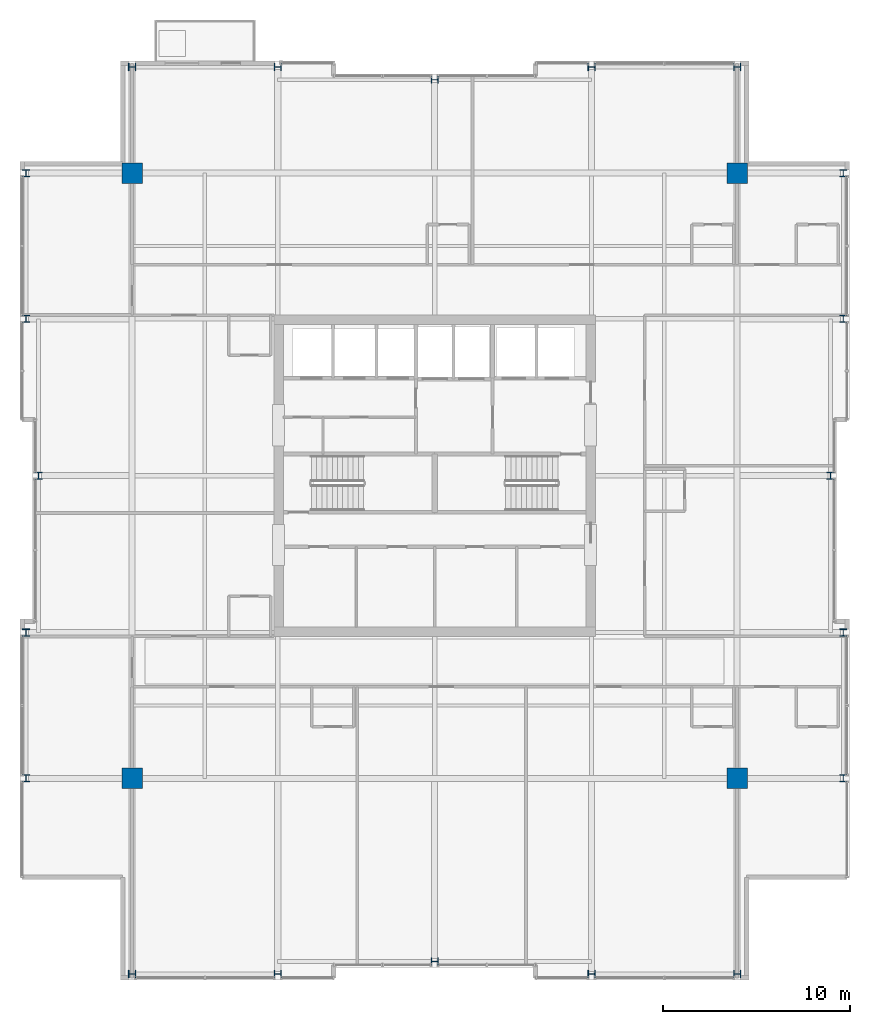
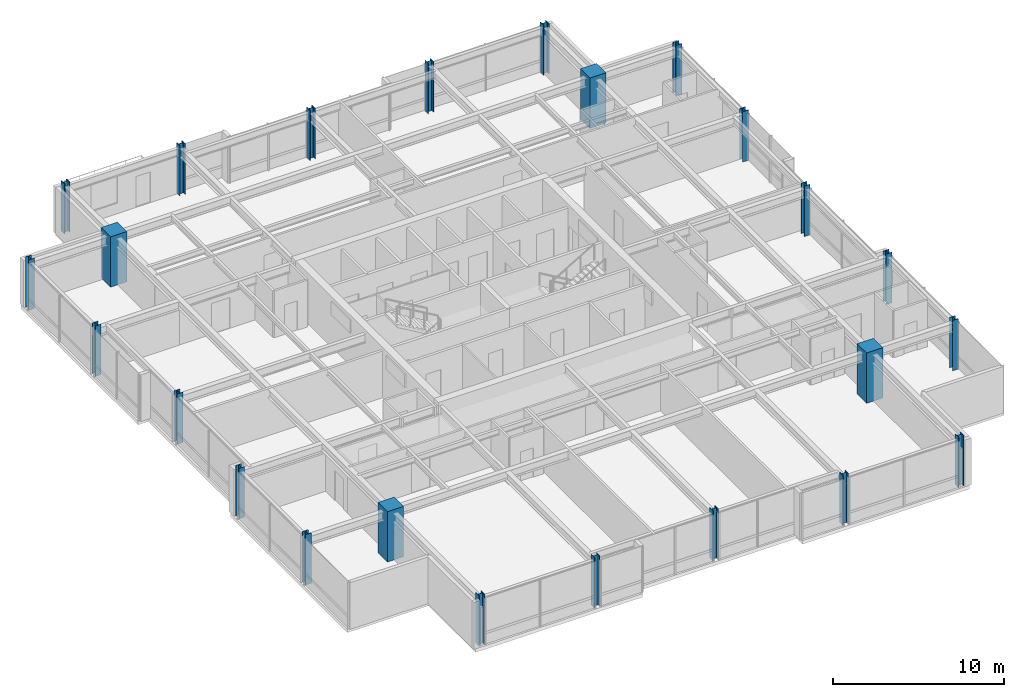
# One storey, part 1 of 30: 24 columns.
"""IFC4 building model written with IfcOpenShell, lengths in metres."""

from ifc_helpers import new_model, si_unit, direction, frame, origin, origin_2d, place, context, subcontext, project, spatial, rectangle, i_section, extrude, material, material_profile, profile_set, type_object, element, save


model = new_model("IFC4")

# Units and contexts
model_context = context("Model", 3, precision=1e-05, world=origin(), true_north=direction((0.0, 1.0)))
body_context = subcontext(model_context, "Body", "Model", "MODEL_VIEW")
ifc_project = project(units=[si_unit("LENGTHUNIT", "METRE"), si_unit("AREAUNIT", "SQUARE_METRE"), si_unit("VOLUMEUNIT", "CUBIC_METRE"), si_unit("PLANEANGLEUNIT", "RADIAN"), si_unit("MASSUNIT", "GRAM", prefix="KILO")], contexts=[model_context])

# Site, building, storey
site_placement = place(None, origin())
site = spatial("IfcSite", under=ifc_project, at=site_placement, CompositionType="ELEMENT")
building_placement = place(site_placement, origin())
building = spatial("IfcBuilding", under=site, at=building_placement, Name="Drelvath Grand Hotel", CompositionType="ELEMENT")
storey_placement = place(building_placement, frame((0.0, 0.0, 215.89990234375)))
storey = spatial("IfcBuildingStorey", under=building, at=storey_placement, Name="L56", CompositionType="ELEMENT", Elevation=215.89990234375)

# Columns
ifc_material_1 = material(Name="Concrete f'c 55 MPa", Category="concrete")
ifc_material_profile_1 = material_profile(ifc_material_1, rectangle(XDim=1.10009765625, YDim=1.10009765625, at=origin_2d()), Name="MC1100X1100")
ifc_profile_set_1 = profile_set([ifc_material_profile_1], Name="Concrete f'c 55 MPa")
column_type_1 = type_object("IfcColumnType", Name="Composite Mega Column MC1100X1100", PredefinedType="COLUMN", material=ifc_profile_set_1)
for number, where, z_axis, x_axis, name in (
    (1, (-16.199951171875, 10.800048828125, 0.0), (0.0, 0.0, 1.0), (1.0, 0.0, 0.0), "L56 Composite Mega Column MC-SW"),
    (2, (16.199951171875, 10.800048828125, 0.0), (0.0, 0.0, 1.0), (1.0, 0.0, 0.0), "L56 Composite Mega Column MC-SE"),
    (3, (-16.199951171875, 43.199951171875, 0.0), (0.0, 0.0, 1.0), (1.0, 0.0, 0.0), "L56 Composite Mega Column MC-NW"),
    (4, (16.199951171875, 43.199951171875, 0.0), (0.0, 0.0, 1.0), (1.0, 0.0, 0.0), "L56 Composite Mega Column MC-NE"),
):
    element("IfcColumn", number, at=place(storey_placement, frame(where, z_axis=z_axis, x_axis=x_axis)), inside=storey, type_object=column_type_1, Name=name, PredefinedType="COLUMN", context=body_context, shape_type="SweptSolid", body=[
        extrude(rectangle(XDim=1.10009765625, YDim=1.10009765625, at=origin_2d()), origin(), (0.0, 0.0, 1.0), 3.60009765625),
    ])
ifc_material_2 = material(Name="Steel ASTM A913 Gr 65", Category="steel")
ifc_material_profile_2 = material_profile(ifc_material_2, i_section(OverallWidth=0.3974609375, OverallDepth=0.38671875, WebThickness=0.02099609375, FlangeThickness=0.033203125, FilletRadius=0.02490234375, at=origin_2d()), Name="W14X176")
ifc_profile_set_2 = profile_set([ifc_material_profile_2], Name="Steel ASTM A913 Gr 65")
column_type_2 = type_object("IfcColumnType", Name="Perimeter Steel Column W14X176", PredefinedType="COLUMN", material=ifc_profile_set_2)
for number, where, z_axis, x_axis, name in (
    (5, (-21.8798828125, 10.800048828125, 0.0), (0.0, 0.0, 1.0), (1.0, 0.0, 0.0), "L56 Structural Column TCW-C"),
    (6, (21.8798828125, 10.800048828125, 0.0), (0.0, 0.0, 1.0), (1.0, 0.0, 0.0), "L56 Structural Column TCE-C"),
    (7, (-21.8798828125, 18.60009765625, 0.0), (0.0, 0.0, 1.0), (1.0, 0.0, 0.0), "L56 Structural Column TCW-D"),
    (8, (21.8798828125, 18.60009765625, 0.0), (0.0, 0.0, 1.0), (1.0, 0.0, 0.0), "L56 Structural Column TCE-D"),
    (9, (-21.199951171875, 27.0, 0.0), (0.0, 0.0, 1.0), (1.0, 0.0, 0.0), "L56 Structural Column TCW-E"),
    (10, (21.199951171875, 27.0, 0.0), (0.0, 0.0, 1.0), (1.0, 0.0, 0.0), "L56 Structural Column TCE-E"),
    (11, (-21.8798828125, 35.39990234375, 0.0), (0.0, 0.0, 1.0), (1.0, 0.0, 0.0), "L56 Structural Column TCW-F"),
    (12, (21.8798828125, 35.39990234375, 0.0), (0.0, 0.0, 1.0), (1.0, 0.0, 0.0), "L56 Structural Column TCE-F"),
    (13, (-21.8798828125, 43.199951171875, 0.0), (0.0, 0.0, 1.0), (1.0, 0.0, 0.0), "L56 Structural Column TCW-G"),
    (14, (21.8798828125, 43.199951171875, 0.0), (0.0, 0.0, 1.0), (1.0, 0.0, 0.0), "L56 Structural Column TCE-G"),
    (15, (-16.199951171875, 0.320068359375, 0.0), (0.0, 0.0, 1.0), (0.0, 1.0, 0.0), "L56 Structural Column TCS-3"),
    (16, (-16.199951171875, 48.8798828125, 0.0), (0.0, 0.0, 1.0), (0.0, 1.0, 0.0), "L56 Structural Column TCN-3"),
    (17, (-8.39990234375, 0.320068359375, 0.0), (0.0, 0.0, 1.0), (0.0, 1.0, 0.0), "L56 Structural Column TCS-4"),
    (18, (-8.39990234375, 48.8798828125, 0.0), (0.0, 0.0, 1.0), (0.0, 1.0, 0.0), "L56 Structural Column TCN-4"),
    (19, (0.0, 1.0, 0.0), (0.0, 0.0, 1.0), (0.0, 1.0, 0.0), "L56 Structural Column TCS-5"),
    (20, (0.0, 48.199951171875, 0.0), (0.0, 0.0, 1.0), (0.0, 1.0, 0.0), "L56 Structural Column TCN-5"),
    (21, (8.39990234375, 0.320068359375, 0.0), (0.0, 0.0, 1.0), (0.0, 1.0, 0.0), "L56 Structural Column TCS-6"),
    (22, (8.39990234375, 48.8798828125, 0.0), (0.0, 0.0, 1.0), (0.0, 1.0, 0.0), "L56 Structural Column TCN-6"),
    (23, (16.199951171875, 0.320068359375, 0.0), (0.0, 0.0, 1.0), (0.0, 1.0, 0.0), "L56 Structural Column TCS-7"),
    (24, (16.199951171875, 48.8798828125, 0.0), (0.0, 0.0, 1.0), (0.0, 1.0, 0.0), "L56 Structural Column TCN-7"),
):
    element("IfcColumn", number, at=place(storey_placement, frame(where, z_axis=z_axis, x_axis=x_axis)), inside=storey, type_object=column_type_2, Name=name, PredefinedType="COLUMN", context=body_context, shape_type="SweptSolid", body=[
        extrude(i_section(OverallWidth=0.3974609375, OverallDepth=0.38671875, WebThickness=0.02099609375, FlangeThickness=0.033203125, FilletRadius=0.02490234375, at=origin_2d()), origin(), (0.0, 0.0, 1.0), 3.59716796875),
    ])

save(model, "model.ifc")
